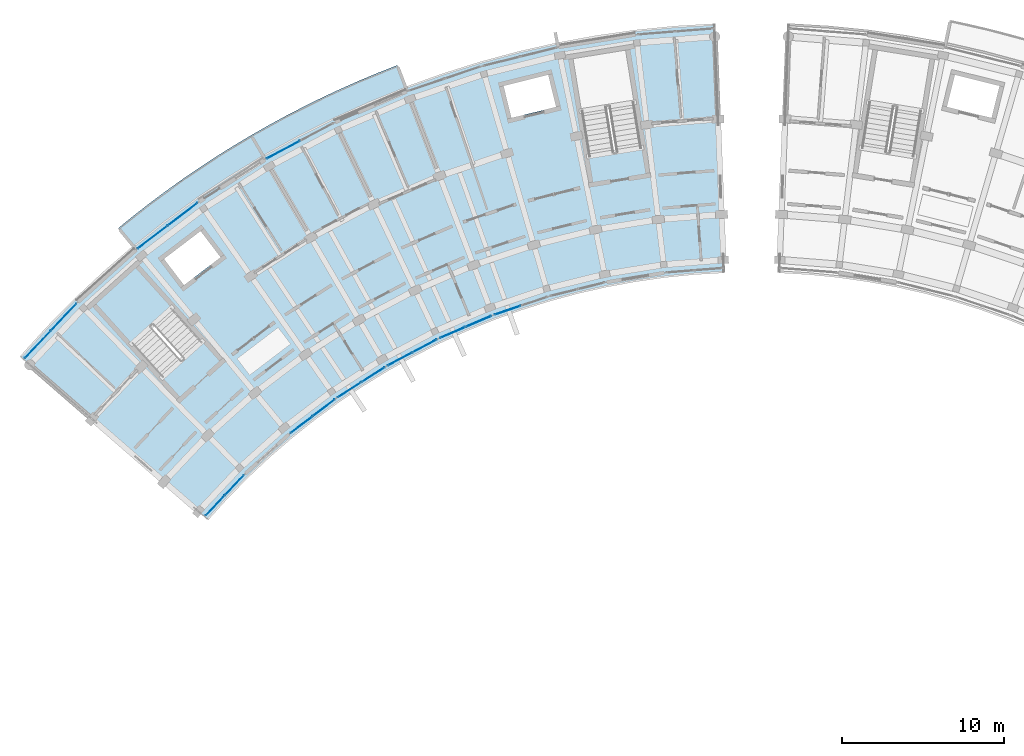
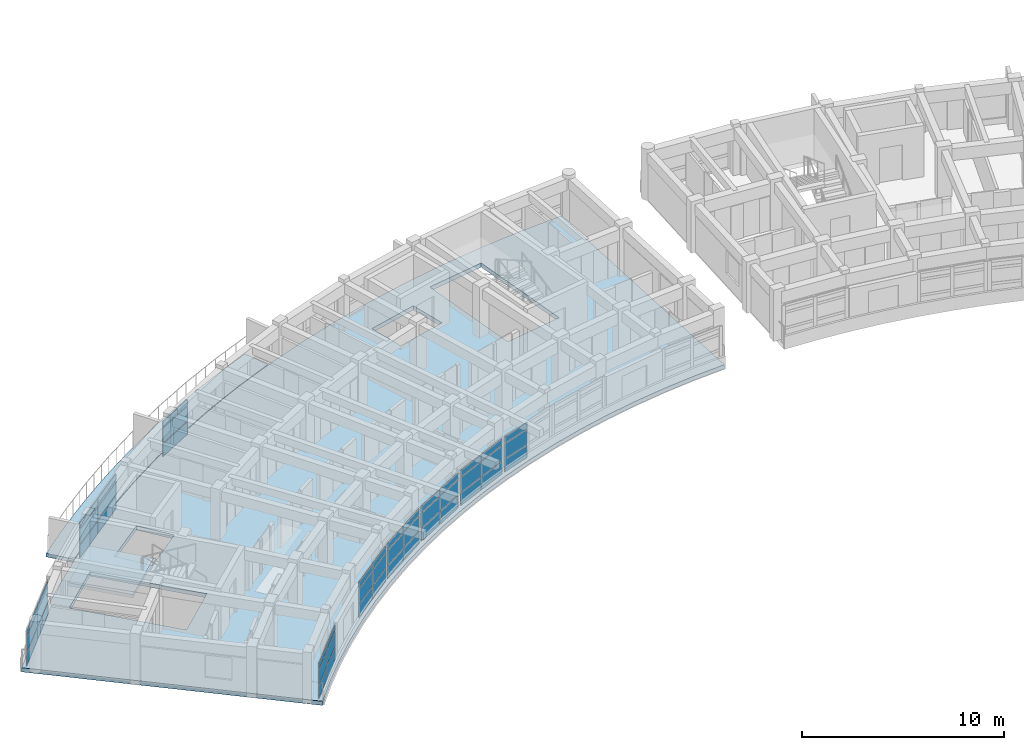
# One storey, part 23 of 50: 48 plates, 3 slabs, 10 elements without a shape of their own.
"""IFC4 building model written with IfcOpenShell, lengths in metres."""

from ifc_helpers import new_model, si_unit, direction, frame, origin, origin_2d, place, context, subcontext, project, spatial, polyline, rectangle, outline, extrude, material, layer, layer_set, type_object, element, aggregate, save


model = new_model("IFC4")

# Units and contexts
model_context = context("Model", 3, precision=1e-05, world=origin(), true_north=direction((0.0, 1.0)))
body_context = subcontext(model_context, "Body", "Model", "MODEL_VIEW")
ifc_project = project(units=[si_unit("LENGTHUNIT", "METRE"), si_unit("AREAUNIT", "SQUARE_METRE"), si_unit("VOLUMEUNIT", "CUBIC_METRE"), si_unit("PLANEANGLEUNIT", "RADIAN"), si_unit("MASSUNIT", "GRAM", prefix="KILO")], contexts=[model_context])

# Site, building, storey
site_placement = place(None, origin())
site = spatial("IfcSite", under=ifc_project, at=site_placement, CompositionType="ELEMENT")
building_placement = place(site_placement, origin())
building = spatial("IfcBuilding", under=site, at=building_placement, Name="Zimvara Arc Housing Community", CompositionType="ELEMENT")
storey_placement = place(building_placement, frame((0.0, 0.0, 26.699951171875)))
storey = spatial("IfcBuildingStorey", under=building, at=storey_placement, Name="L08", CompositionType="ELEMENT", Elevation=26.699951171875)

# Curtain wall, plates
ifc_material_1 = material(Name="Anodised Aluminium AW-6063", Category="aluminium")
curtain_wall_type_1 = type_object("IfcCurtainWallType", Name="CW-SYS-08", PredefinedType="USERDEFINED", material=ifc_material_1)
curtain_wall_1_placement = place(storey_placement, origin())
curtain_wall_1 = element("IfcCurtainWall", 1, at=curtain_wall_1_placement, inside=storey, type_object=curtain_wall_type_1, Name="cw:blkA:L08:in:b2", ObjectType="CURTAIN WALL", PredefinedType="USERDEFINED")
ifc_material_2 = material(Name="Pale-Gold Anodised Aluminium Spandrel Panel", Category="aluminium")
ifc_layer_1 = layer(ifc_material_2, 0.035888671875)
ifc_layer_set_1 = layer_set([ifc_layer_1], Name="Pale-Gold Anodised Aluminium Spandrel Panel")
plate_type_1 = type_object("IfcPlateType", Name="CWP-GLD-36", PredefinedType="CURTAIN_PANEL", material=ifc_layer_set_1)
plate_1_placement = place(storey_placement, frame((17.295654296875, 79.4404296875, 0.065185546875), z_axis=(0.0, 0.0, 1.0), x_axis=(0.795473543119, 0.605988318533, 0.0)))
plate_1 = element("IfcPlate", 2, at=plate_1_placement, type_object=plate_type_1, Name="CW08 panel 1.1", PredefinedType="CURTAIN_PANEL", context=body_context, shape_type="SweptSolid", body=[
    extrude(rectangle(XDim=1.664306640625, YDim=0.035888671875, at=origin_2d()), origin(), (0.0, 0.0, 1.0), 0.75244140625),
])
plate_2_placement = place(storey_placement, frame((17.295654296875, 79.4404296875, 0.88232421875), z_axis=(0.0, 0.0, 1.0), x_axis=(0.795473543119, 0.605988318533, 0.0)))
plate_2 = element("IfcPlate", 3, at=plate_2_placement, type_object=plate_type_1, Name="CW08 panel 1.2", PredefinedType="CURTAIN_PANEL", context=body_context, shape_type="SweptSolid", body=[
    extrude(rectangle(XDim=1.664306640625, YDim=0.035888671875, at=origin_2d()), origin(), (0.0, 0.0, 1.0), 0.885009765625),
])
plate_3_placement = place(storey_placement, frame((17.295654296875, 79.4404296875, 1.83251953125), z_axis=(0.0, 0.0, 1.0), x_axis=(0.795473543119, 0.605988318533, 0.0)))
plate_3 = element("IfcPlate", 4, at=plate_3_placement, type_object=plate_type_1, Name="CW08 panel 1.3", PredefinedType="CURTAIN_PANEL", context=body_context, shape_type="SweptSolid", body=[
    extrude(rectangle(XDim=1.664306640625, YDim=0.035888671875, at=origin_2d()), origin(), (0.0, 0.0, 1.0), 0.3525390625),
])
plate_4_placement = place(storey_placement, frame((18.671142578125, 80.48828125, 0.065185546875), z_axis=(0.0, 0.0, 1.0), x_axis=(0.795473543119, 0.605988318533, 0.0)))
plate_4 = element("IfcPlate", 5, at=plate_4_placement, type_object=plate_type_1, Name="CW08 panel 2.1", PredefinedType="CURTAIN_PANEL", context=body_context, shape_type="SweptSolid", body=[
    extrude(rectangle(XDim=1.664306640625, YDim=0.035888671875, at=origin_2d()), origin(), (0.0, 0.0, 1.0), 0.75244140625),
])
plate_5_placement = place(storey_placement, frame((18.671142578125, 80.48828125, 0.88232421875), z_axis=(0.0, 0.0, 1.0), x_axis=(0.795473543119, 0.605988318533, 0.0)))
plate_5 = element("IfcPlate", 6, at=plate_5_placement, type_object=plate_type_1, Name="CW08 panel 2.2", PredefinedType="CURTAIN_PANEL", context=body_context, shape_type="SweptSolid", body=[
    extrude(rectangle(XDim=1.664306640625, YDim=0.035888671875, at=origin_2d()), origin(), (0.0, 0.0, 1.0), 0.885009765625),
])
plate_6_placement = place(storey_placement, frame((18.671142578125, 80.48828125, 1.83251953125), z_axis=(0.0, 0.0, 1.0), x_axis=(0.795473543119, 0.605988318533, 0.0)))
plate_6 = element("IfcPlate", 7, at=plate_6_placement, type_object=plate_type_1, Name="CW08 panel 2.3", PredefinedType="CURTAIN_PANEL", context=body_context, shape_type="SweptSolid", body=[
    extrude(rectangle(XDim=1.664306640625, YDim=0.035888671875, at=origin_2d()), origin(), (0.0, 0.0, 1.0), 0.3525390625),
])
aggregate(curtain_wall_1, [plate_1, plate_2, plate_3, plate_4, plate_5, plate_6])

ifc_material_3 = material(Name="Anodised Aluminium AW-6063", Category="aluminium")
curtain_wall_type_2 = type_object("IfcCurtainWallType", Name="CW-SYS-04", PredefinedType="USERDEFINED", material=ifc_material_3)
curtain_wall_2_placement = place(storey_placement, origin())
curtain_wall_2 = element("IfcCurtainWall", 8, at=curtain_wall_2_placement, inside=storey, type_object=curtain_wall_type_2, Name="cw:blkA:L08:in:b5", ObjectType="CURTAIN WALL", PredefinedType="USERDEFINED")
plate_7_placement = place(storey_placement, frame((26.599609375, 85.11767578125, 0.065185546875), z_axis=(0.0, 0.0, 1.0), x_axis=(0.918722178415, 0.394904493375, 0.0)))
plate_7 = element("IfcPlate", 9, at=plate_7_placement, type_object=plate_type_1, Name="CW04 panel 1.1", PredefinedType="CURTAIN_PANEL", context=body_context, shape_type="SweptSolid", body=[
    extrude(rectangle(XDim=1.664306640625, YDim=0.035888671875, at=origin_2d()), origin(), (0.0, 0.0, 1.0), 0.75244140625),
])
plate_8_placement = place(storey_placement, frame((26.599609375, 85.11767578125, 0.88232421875), z_axis=(0.0, 0.0, 1.0), x_axis=(0.918722178415, 0.394904493375, 0.0)))
plate_8 = element("IfcPlate", 10, at=plate_8_placement, type_object=plate_type_1, Name="CW04 panel 1.2", PredefinedType="CURTAIN_PANEL", context=body_context, shape_type="SweptSolid", body=[
    extrude(rectangle(XDim=1.664306640625, YDim=0.035888671875, at=origin_2d()), origin(), (0.0, 0.0, 1.0), 0.885009765625),
])
plate_9_placement = place(storey_placement, frame((26.599609375, 85.11767578125, 1.83251953125), z_axis=(0.0, 0.0, 1.0), x_axis=(0.918722178415, 0.394904493375, 0.0)))
plate_9 = element("IfcPlate", 11, at=plate_9_placement, type_object=plate_type_1, Name="CW04 panel 1.3", PredefinedType="CURTAIN_PANEL", context=body_context, shape_type="SweptSolid", body=[
    extrude(rectangle(XDim=1.664306640625, YDim=0.035888671875, at=origin_2d()), origin(), (0.0, 0.0, 1.0), 0.3525390625),
])
plate_10_placement = place(storey_placement, frame((28.1884765625, 85.80078125, 0.065185546875), z_axis=(0.0, 0.0, 1.0), x_axis=(0.918722178415, 0.394904493375, 0.0)))
plate_10 = element("IfcPlate", 12, at=plate_10_placement, type_object=plate_type_1, Name="CW04 panel 2.1", PredefinedType="CURTAIN_PANEL", context=body_context, shape_type="SweptSolid", body=[
    extrude(rectangle(XDim=1.664306640625, YDim=0.035888671875, at=origin_2d()), origin(), (0.0, 0.0, 1.0), 0.75244140625),
])
plate_11_placement = place(storey_placement, frame((28.1884765625, 85.80078125, 0.88232421875), z_axis=(0.0, 0.0, 1.0), x_axis=(0.918722178415, 0.394904493375, 0.0)))
plate_11 = element("IfcPlate", 13, at=plate_11_placement, type_object=plate_type_1, Name="CW04 panel 2.2", PredefinedType="CURTAIN_PANEL", context=body_context, shape_type="SweptSolid", body=[
    extrude(rectangle(XDim=1.664306640625, YDim=0.035888671875, at=origin_2d()), origin(), (0.0, 0.0, 1.0), 0.885009765625),
])
plate_12_placement = place(storey_placement, frame((28.1884765625, 85.80078125, 1.83251953125), z_axis=(0.0, 0.0, 1.0), x_axis=(0.918722178415, 0.394904493375, 0.0)))
plate_12 = element("IfcPlate", 14, at=plate_12_placement, type_object=plate_type_1, Name="CW04 panel 2.3", PredefinedType="CURTAIN_PANEL", context=body_context, shape_type="SweptSolid", body=[
    extrude(rectangle(XDim=1.664306640625, YDim=0.035888671875, at=origin_2d()), origin(), (0.0, 0.0, 1.0), 0.3525390625),
])
aggregate(curtain_wall_2, [plate_7, plate_8, plate_9, plate_10, plate_11, plate_12])

ifc_material_4 = material(Name="Anodised Aluminium AW-6063", Category="aluminium")
curtain_wall_type_3 = type_object("IfcCurtainWallType", Name="CW-SYS-05", PredefinedType="USERDEFINED", material=ifc_material_4)
curtain_wall_3_placement = place(storey_placement, origin())
curtain_wall_3 = element("IfcCurtainWall", 15, at=curtain_wall_3_placement, inside=storey, type_object=curtain_wall_type_3, Name="cw:blkA:L08:out:b0", ObjectType="CURTAIN WALL", PredefinedType="USERDEFINED")
ifc_material_5 = material(Name="Solar Control Low-E Double Glazing", Category="glass")
ifc_layer_2 = layer(ifc_material_5, 0.02392578125)
ifc_layer_set_2 = layer_set([ifc_layer_2], Name="Solar Control Low-E Double Glazing")
plate_type_2 = type_object("IfcPlateType", Name="CWP-GLZ-24", PredefinedType="CURTAIN_PANEL", material=ifc_layer_set_2)
plate_13_placement = place(storey_placement, frame((1.049072265625, 84.3720703125, 0.065185546875), z_axis=(0.0, 0.0, 1.0), x_axis=(0.686326416495, 0.727293647725, 0.0)))
plate_13 = element("IfcPlate", 16, at=plate_13_placement, type_object=plate_type_2, Name="CW05 panel 1.1", PredefinedType="CURTAIN_PANEL", context=body_context, shape_type="SweptSolid", body=[
    extrude(rectangle(XDim=2.266845703125, YDim=0.02392578125, at=origin_2d()), origin(), (0.0, 0.0, 1.0), 0.75244140625),
])
plate_14_placement = place(storey_placement, frame((1.049072265625, 84.3720703125, 0.88232421875), z_axis=(0.0, 0.0, 1.0), x_axis=(0.686326416495, 0.727293647725, 0.0)))
plate_14 = element("IfcPlate", 17, at=plate_14_placement, type_object=plate_type_2, Name="CW05 panel 1.2", PredefinedType="CURTAIN_PANEL", context=body_context, shape_type="SweptSolid", body=[
    extrude(rectangle(XDim=2.266845703125, YDim=0.02392578125, at=origin_2d()), origin(), (0.0, 0.0, 1.0), 0.885009765625),
])
plate_15_placement = place(storey_placement, frame((1.049072265625, 84.3720703125, 1.83251953125), z_axis=(0.0, 0.0, 1.0), x_axis=(0.686326416495, 0.727293647725, 0.0)))
plate_15 = element("IfcPlate", 18, at=plate_15_placement, type_object=plate_type_2, Name="CW05 panel 1.3", PredefinedType="CURTAIN_PANEL", context=body_context, shape_type="SweptSolid", body=[
    extrude(rectangle(XDim=2.266845703125, YDim=0.02392578125, at=origin_2d()), origin(), (0.0, 0.0, 1.0), 0.3525390625),
])
plate_16_placement = place(storey_placement, frame((2.649658203125, 86.068115234375, 0.065185546875), z_axis=(0.0, 0.0, 1.0), x_axis=(0.686326416495, 0.727293647725, 0.0)))
plate_16 = element("IfcPlate", 19, at=plate_16_placement, type_object=plate_type_2, Name="CW05 panel 2.1", PredefinedType="CURTAIN_PANEL", context=body_context, shape_type="SweptSolid", body=[
    extrude(rectangle(XDim=2.266845703125, YDim=0.02392578125, at=origin_2d()), origin(), (0.0, 0.0, 1.0), 0.75244140625),
])
plate_17_placement = place(storey_placement, frame((2.649658203125, 86.068115234375, 0.88232421875), z_axis=(0.0, 0.0, 1.0), x_axis=(0.686326416495, 0.727293647725, 0.0)))
plate_17 = element("IfcPlate", 20, at=plate_17_placement, type_object=plate_type_2, Name="CW05 panel 2.2", PredefinedType="CURTAIN_PANEL", context=body_context, shape_type="SweptSolid", body=[
    extrude(rectangle(XDim=2.266845703125, YDim=0.02392578125, at=origin_2d()), origin(), (0.0, 0.0, 1.0), 0.885009765625),
])
plate_18_placement = place(storey_placement, frame((2.649658203125, 86.068115234375, 1.83251953125), z_axis=(0.0, 0.0, 1.0), x_axis=(0.686326416495, 0.727293647725, 0.0)))
plate_18 = element("IfcPlate", 21, at=plate_18_placement, type_object=plate_type_2, Name="CW05 panel 2.3", PredefinedType="CURTAIN_PANEL", context=body_context, shape_type="SweptSolid", body=[
    extrude(rectangle(XDim=2.266845703125, YDim=0.02392578125, at=origin_2d()), origin(), (0.0, 0.0, 1.0), 0.3525390625),
])
aggregate(curtain_wall_3, [plate_13, plate_14, plate_15, plate_16, plate_17, plate_18])

ifc_material_6 = material(Name="Anodised Aluminium AW-6063", Category="aluminium")
curtain_wall_type_4 = type_object("IfcCurtainWallType", Name="CW-SYS-01", PredefinedType="USERDEFINED", material=ifc_material_6)
curtain_wall_4_placement = place(storey_placement, origin())
curtain_wall_4 = element("IfcCurtainWall", 22, at=curtain_wall_4_placement, inside=storey, type_object=curtain_wall_type_4, Name="cw:blkA:L08:in:b3", ObjectType="CURTAIN WALL", PredefinedType="USERDEFINED")
plate_19_placement = place(storey_placement, frame((20.23876953125, 81.58447265625, 0.065185546875), z_axis=(0.0, 0.0, 1.0), x_axis=(0.842264751752, 0.539064085203, 0.0)))
plate_19 = element("IfcPlate", 23, at=plate_19_placement, type_object=plate_type_2, Name="CW01 panel 1.1", PredefinedType="CURTAIN_PANEL", context=body_context, shape_type="SweptSolid", body=[
    extrude(rectangle(XDim=1.664306640625, YDim=0.02392578125, at=origin_2d()), origin(), (0.0, 0.0, 1.0), 0.75244140625),
])
plate_20_placement = place(storey_placement, frame((20.23876953125, 81.58447265625, 0.88232421875), z_axis=(0.0, 0.0, 1.0), x_axis=(0.842264751752, 0.539064085203, 0.0)))
plate_20 = element("IfcPlate", 24, at=plate_20_placement, type_object=plate_type_2, Name="CW01 panel 1.2", PredefinedType="CURTAIN_PANEL", context=body_context, shape_type="SweptSolid", body=[
    extrude(rectangle(XDim=1.664306640625, YDim=0.02392578125, at=origin_2d()), origin(), (0.0, 0.0, 1.0), 0.885009765625),
])
plate_21_placement = place(storey_placement, frame((20.23876953125, 81.58447265625, 1.83251953125), z_axis=(0.0, 0.0, 1.0), x_axis=(0.842264751752, 0.539064085203, 0.0)))
plate_21 = element("IfcPlate", 25, at=plate_21_placement, type_object=plate_type_2, Name="CW01 panel 1.3", PredefinedType="CURTAIN_PANEL", context=body_context, shape_type="SweptSolid", body=[
    extrude(rectangle(XDim=1.664306640625, YDim=0.02392578125, at=origin_2d()), origin(), (0.0, 0.0, 1.0), 0.3525390625),
])
plate_22_placement = place(storey_placement, frame((21.6953125, 82.5166015625, 0.065185546875), z_axis=(0.0, 0.0, 1.0), x_axis=(0.842264751752, 0.539064085203, 0.0)))
plate_22 = element("IfcPlate", 26, at=plate_22_placement, type_object=plate_type_2, Name="CW01 panel 2.1", PredefinedType="CURTAIN_PANEL", context=body_context, shape_type="SweptSolid", body=[
    extrude(rectangle(XDim=1.664306640625, YDim=0.02392578125, at=origin_2d()), origin(), (0.0, 0.0, 1.0), 0.75244140625),
])
plate_23_placement = place(storey_placement, frame((21.6953125, 82.5166015625, 0.88232421875), z_axis=(0.0, 0.0, 1.0), x_axis=(0.842264751752, 0.539064085203, 0.0)))
plate_23 = element("IfcPlate", 27, at=plate_23_placement, type_object=plate_type_2, Name="CW01 panel 2.2", PredefinedType="CURTAIN_PANEL", context=body_context, shape_type="SweptSolid", body=[
    extrude(rectangle(XDim=1.664306640625, YDim=0.02392578125, at=origin_2d()), origin(), (0.0, 0.0, 1.0), 0.885009765625),
])
plate_24_placement = place(storey_placement, frame((21.6953125, 82.5166015625, 1.83251953125), z_axis=(0.0, 0.0, 1.0), x_axis=(0.842264751752, 0.539064085203, 0.0)))
plate_24 = element("IfcPlate", 28, at=plate_24_placement, type_object=plate_type_2, Name="CW01 panel 2.3", PredefinedType="CURTAIN_PANEL", context=body_context, shape_type="SweptSolid", body=[
    extrude(rectangle(XDim=1.664306640625, YDim=0.02392578125, at=origin_2d()), origin(), (0.0, 0.0, 1.0), 0.3525390625),
])
aggregate(curtain_wall_4, [plate_19, plate_20, plate_21, plate_22, plate_23, plate_24])

ifc_material_7 = material(Name="Anodised Aluminium AW-6063", Category="aluminium")
curtain_wall_type_5 = type_object("IfcCurtainWallType", Name="CW-SYS-06", PredefinedType="USERDEFINED", material=ifc_material_7)
curtain_wall_5_placement = place(storey_placement, origin())
curtain_wall_5 = element("IfcCurtainWall", 29, at=curtain_wall_5_placement, inside=storey, type_object=curtain_wall_type_5, Name="cw:blkA:L08:in:b0", ObjectType="CURTAIN WALL", PredefinedType="USERDEFINED")
ifc_material_8 = material(Name="Solar Control Low-E Double Glazing", Category="glass")
ifc_layer_3 = layer(ifc_material_8, 0.028076171875)
ifc_layer_set_3 = layer_set([ifc_layer_3], Name="Solar Control Low-E Double Glazing")
plate_type_3 = type_object("IfcPlateType", Name="CWP-GLZ-28", PredefinedType="CURTAIN_PANEL", material=ifc_layer_set_3)
plate_25_placement = place(storey_placement, frame((11.981689453125, 74.469482421875, 0.065185546875), z_axis=(0.0, 0.0, 1.0), x_axis=(0.686326805658, 0.727293280483, 0.0)))
plate_25 = element("IfcPlate", 30, at=plate_25_placement, type_object=plate_type_3, Name="CW06 panel 1.1", PredefinedType="CURTAIN_PANEL", context=body_context, shape_type="SweptSolid", body=[
    extrude(rectangle(XDim=1.664306640625, YDim=0.028076171875, at=origin_2d()), origin(), (0.0, 0.0, 1.0), 0.75244140625),
])
plate_26_placement = place(storey_placement, frame((11.981689453125, 74.469482421875, 0.88232421875), z_axis=(0.0, 0.0, 1.0), x_axis=(0.686326805658, 0.727293280483, 0.0)))
plate_26 = element("IfcPlate", 31, at=plate_26_placement, type_object=plate_type_3, Name="CW06 panel 1.2", PredefinedType="CURTAIN_PANEL", context=body_context, shape_type="SweptSolid", body=[
    extrude(rectangle(XDim=1.664306640625, YDim=0.028076171875, at=origin_2d()), origin(), (0.0, 0.0, 1.0), 0.885009765625),
])
plate_27_placement = place(storey_placement, frame((11.981689453125, 74.469482421875, 1.83251953125), z_axis=(0.0, 0.0, 1.0), x_axis=(0.686326805658, 0.727293280483, 0.0)))
plate_27 = element("IfcPlate", 32, at=plate_27_placement, type_object=plate_type_3, Name="CW06 panel 1.3", PredefinedType="CURTAIN_PANEL", context=body_context, shape_type="SweptSolid", body=[
    extrude(rectangle(XDim=1.664306640625, YDim=0.028076171875, at=origin_2d()), origin(), (0.0, 0.0, 1.0), 0.3525390625),
])
plate_28_placement = place(storey_placement, frame((13.168701171875, 75.727294921875, 0.065185546875), z_axis=(0.0, 0.0, 1.0), x_axis=(0.686326805658, 0.727293280483, 0.0)))
plate_28 = element("IfcPlate", 33, at=plate_28_placement, type_object=plate_type_3, Name="CW06 panel 2.1", PredefinedType="CURTAIN_PANEL", context=body_context, shape_type="SweptSolid", body=[
    extrude(rectangle(XDim=1.664306640625, YDim=0.028076171875, at=origin_2d()), origin(), (0.0, 0.0, 1.0), 0.75244140625),
])
plate_29_placement = place(storey_placement, frame((13.168701171875, 75.727294921875, 0.88232421875), z_axis=(0.0, 0.0, 1.0), x_axis=(0.686326805658, 0.727293280483, 0.0)))
plate_29 = element("IfcPlate", 34, at=plate_29_placement, type_object=plate_type_3, Name="CW06 panel 2.2", PredefinedType="CURTAIN_PANEL", context=body_context, shape_type="SweptSolid", body=[
    extrude(rectangle(XDim=1.664306640625, YDim=0.028076171875, at=origin_2d()), origin(), (0.0, 0.0, 1.0), 0.885009765625),
])
plate_30_placement = place(storey_placement, frame((13.168701171875, 75.727294921875, 1.83251953125), z_axis=(0.0, 0.0, 1.0), x_axis=(0.686326805658, 0.727293280483, 0.0)))
plate_30 = element("IfcPlate", 35, at=plate_30_placement, type_object=plate_type_3, Name="CW06 panel 2.3", PredefinedType="CURTAIN_PANEL", context=body_context, shape_type="SweptSolid", body=[
    extrude(rectangle(XDim=1.664306640625, YDim=0.028076171875, at=origin_2d()), origin(), (0.0, 0.0, 1.0), 0.3525390625),
])
aggregate(curtain_wall_5, [plate_25, plate_26, plate_27, plate_28, plate_29, plate_30])

ifc_material_9 = material(Name="Anodised Aluminium AW-6063", Category="aluminium")
curtain_wall_type_6 = type_object("IfcCurtainWallType", Name="CW-SYS-02", PredefinedType="USERDEFINED", material=ifc_material_9)
curtain_wall_6_placement = place(storey_placement, origin())
curtain_wall_6 = element("IfcCurtainWall", 36, at=curtain_wall_6_placement, inside=storey, type_object=curtain_wall_type_6, Name="cw:blkA:L08:out:b4", ObjectType="CURTAIN WALL", PredefinedType="USERDEFINED")
plate_31_placement = place(storey_placement, frame((16.1708984375, 96.36865234375, 0.065185546875), z_axis=(0.0, 0.0, 1.0), x_axis=(0.883438614651, 0.468546917761, 0.0)))
plate_31 = element("IfcPlate", 37, at=plate_31_placement, type_object=plate_type_3, Name="CW02 panel 1.1", PredefinedType="CURTAIN_PANEL", context=body_context, shape_type="SweptSolid", body=[
    extrude(rectangle(XDim=2.266845703125, YDim=0.028076171875, at=origin_2d()), origin(), (0.0, 0.0, 1.0), 0.75244140625),
])
plate_32_placement = place(storey_placement, frame((16.1708984375, 96.36865234375, 0.88232421875), z_axis=(0.0, 0.0, 1.0), x_axis=(0.883438614651, 0.468546917761, 0.0)))
plate_32 = element("IfcPlate", 38, at=plate_32_placement, type_object=plate_type_3, Name="CW02 panel 1.2", PredefinedType="CURTAIN_PANEL", context=body_context, shape_type="SweptSolid", body=[
    extrude(rectangle(XDim=2.266845703125, YDim=0.028076171875, at=origin_2d()), origin(), (0.0, 0.0, 1.0), 0.885009765625),
])
plate_33_placement = place(storey_placement, frame((16.1708984375, 96.36865234375, 1.83251953125), z_axis=(0.0, 0.0, 1.0), x_axis=(0.883438614651, 0.468546917761, 0.0)))
plate_33 = element("IfcPlate", 39, at=plate_33_placement, type_object=plate_type_3, Name="CW02 panel 1.3", PredefinedType="CURTAIN_PANEL", context=body_context, shape_type="SweptSolid", body=[
    extrude(rectangle(XDim=2.266845703125, YDim=0.028076171875, at=origin_2d()), origin(), (0.0, 0.0, 1.0), 0.3525390625),
])
aggregate(curtain_wall_6, [plate_31, plate_32, plate_33])

curtain_wall_7_placement = place(storey_placement, origin())
curtain_wall_7 = element("IfcCurtainWall", 40, at=curtain_wall_7_placement, inside=storey, type_object=curtain_wall_type_5, Name="cw:blkA:L08:in:b6", ObjectType="CURTAIN WALL", PredefinedType="USERDEFINED")
plate_34_placement = place(storey_placement, frame((29.97509765625, 86.483642578125, 0.065185546875), z_axis=(0.0, 0.0, 1.0), x_axis=(0.94787908732, 0.318630249383, 0.0)))
plate_34 = element("IfcPlate", 41, at=plate_34_placement, type_object=plate_type_3, Name="CW06 panel 1.1", PredefinedType="CURTAIN_PANEL", context=body_context, shape_type="SweptSolid", body=[
    extrude(rectangle(XDim=1.664306640625, YDim=0.028076171875, at=origin_2d()), origin(), (0.0, 0.0, 1.0), 0.75244140625),
])
plate_35_placement = place(storey_placement, frame((29.97509765625, 86.483642578125, 0.88232421875), z_axis=(0.0, 0.0, 1.0), x_axis=(0.94787908732, 0.318630249383, 0.0)))
plate_35 = element("IfcPlate", 42, at=plate_35_placement, type_object=plate_type_3, Name="CW06 panel 1.2", PredefinedType="CURTAIN_PANEL", context=body_context, shape_type="SweptSolid", body=[
    extrude(rectangle(XDim=1.664306640625, YDim=0.028076171875, at=origin_2d()), origin(), (0.0, 0.0, 1.0), 0.885009765625),
])
plate_36_placement = place(storey_placement, frame((29.97509765625, 86.483642578125, 1.83251953125), z_axis=(0.0, 0.0, 1.0), x_axis=(0.94787908732, 0.318630249383, 0.0)))
plate_36 = element("IfcPlate", 43, at=plate_36_placement, type_object=plate_type_3, Name="CW06 panel 1.3", PredefinedType="CURTAIN_PANEL", context=body_context, shape_type="SweptSolid", body=[
    extrude(rectangle(XDim=1.664306640625, YDim=0.028076171875, at=origin_2d()), origin(), (0.0, 0.0, 1.0), 0.3525390625),
])
aggregate(curtain_wall_7, [plate_34, plate_35, plate_36])

ifc_material_10 = material(Name="Anodised Aluminium AW-6063", Category="aluminium")
curtain_wall_type_7 = type_object("IfcCurtainWallType", Name="CW-SYS-07", PredefinedType="USERDEFINED", material=ifc_material_10)
curtain_wall_8_placement = place(storey_placement, origin())
curtain_wall_8 = element("IfcCurtainWall", 44, at=curtain_wall_8_placement, inside=storey, type_object=curtain_wall_type_7, Name="cw:blkA:L08:out:b2", ObjectType="CURTAIN WALL", PredefinedType="USERDEFINED")
ifc_material_11 = material(Name="Acoustic Laminated Solar Glazing", Category="glass")
ifc_layer_4 = layer(ifc_material_11, 0.031982421875)
ifc_layer_set_4 = layer_set([ifc_layer_4], Name="Acoustic Laminated Solar Glazing")
plate_type_4 = type_object("IfcPlateType", Name="CWP-GLZ-32", PredefinedType="CURTAIN_PANEL", material=ifc_layer_set_4)
plate_37_placement = place(storey_placement, frame((8.118896484375, 90.9892578125, 0.065185546875), z_axis=(0.0, 0.0, 1.0), x_axis=(0.795473999177, 0.60598771987, 0.0)))
plate_37 = element("IfcPlate", 45, at=plate_37_placement, type_object=plate_type_4, Name="CW07 panel 1.1", PredefinedType="CURTAIN_PANEL", context=body_context, shape_type="SweptSolid", body=[
    extrude(rectangle(XDim=2.266845703125, YDim=0.031982421875, at=origin_2d()), origin(), (0.0, 0.0, 1.0), 0.75244140625),
])
plate_38_placement = place(storey_placement, frame((8.118896484375, 90.9892578125, 0.88232421875), z_axis=(0.0, 0.0, 1.0), x_axis=(0.795473999177, 0.60598771987, 0.0)))
plate_38 = element("IfcPlate", 46, at=plate_38_placement, type_object=plate_type_4, Name="CW07 panel 1.2", PredefinedType="CURTAIN_PANEL", context=body_context, shape_type="SweptSolid", body=[
    extrude(rectangle(XDim=2.266845703125, YDim=0.031982421875, at=origin_2d()), origin(), (0.0, 0.0, 1.0), 0.885009765625),
])
plate_39_placement = place(storey_placement, frame((8.118896484375, 90.9892578125, 1.83251953125), z_axis=(0.0, 0.0, 1.0), x_axis=(0.795473999177, 0.60598771987, 0.0)))
plate_39 = element("IfcPlate", 47, at=plate_39_placement, type_object=plate_type_4, Name="CW07 panel 1.3", PredefinedType="CURTAIN_PANEL", context=body_context, shape_type="SweptSolid", body=[
    extrude(rectangle(XDim=2.266845703125, YDim=0.031982421875, at=origin_2d()), origin(), (0.0, 0.0, 1.0), 0.3525390625),
])
plate_40_placement = place(storey_placement, frame((9.973876953125, 92.40234375, 0.065185546875), z_axis=(0.0, 0.0, 1.0), x_axis=(0.795473999177, 0.60598771987, 0.0)))
plate_40 = element("IfcPlate", 48, at=plate_40_placement, type_object=plate_type_4, Name="CW07 panel 2.1", PredefinedType="CURTAIN_PANEL", context=body_context, shape_type="SweptSolid", body=[
    extrude(rectangle(XDim=2.266845703125, YDim=0.031982421875, at=origin_2d()), origin(), (0.0, 0.0, 1.0), 0.75244140625),
])
plate_41_placement = place(storey_placement, frame((9.973876953125, 92.40234375, 0.88232421875), z_axis=(0.0, 0.0, 1.0), x_axis=(0.795473999177, 0.60598771987, 0.0)))
plate_41 = element("IfcPlate", 49, at=plate_41_placement, type_object=plate_type_4, Name="CW07 panel 2.2", PredefinedType="CURTAIN_PANEL", context=body_context, shape_type="SweptSolid", body=[
    extrude(rectangle(XDim=2.266845703125, YDim=0.031982421875, at=origin_2d()), origin(), (0.0, 0.0, 1.0), 0.885009765625),
])
plate_42_placement = place(storey_placement, frame((9.973876953125, 92.40234375, 1.83251953125), z_axis=(0.0, 0.0, 1.0), x_axis=(0.795473999177, 0.60598771987, 0.0)))
plate_42 = element("IfcPlate", 50, at=plate_42_placement, type_object=plate_type_4, Name="CW07 panel 2.3", PredefinedType="CURTAIN_PANEL", context=body_context, shape_type="SweptSolid", body=[
    extrude(rectangle(XDim=2.266845703125, YDim=0.031982421875, at=origin_2d()), origin(), (0.0, 0.0, 1.0), 0.3525390625),
])
aggregate(curtain_wall_8, [plate_37, plate_38, plate_39, plate_40, plate_41, plate_42])

ifc_material_12 = material(Name="Anodised Aluminium AW-6063", Category="aluminium")
curtain_wall_type_8 = type_object("IfcCurtainWallType", Name="CW-SYS-03", PredefinedType="USERDEFINED", material=ifc_material_12)
curtain_wall_9_placement = place(storey_placement, origin())
curtain_wall_9 = element("IfcCurtainWall", 51, at=curtain_wall_9_placement, inside=storey, type_object=curtain_wall_type_8, Name="cw:blkA:L08:in:b4", ObjectType="CURTAIN WALL", PredefinedType="USERDEFINED")
plate_43_placement = place(storey_placement, frame((23.346923828125, 83.48095703125, 0.065185546875), z_axis=(0.0, 0.0, 1.0), x_axis=(0.88343981815, 0.468544648573, 0.0)))
plate_43 = element("IfcPlate", 52, at=plate_43_placement, type_object=plate_type_4, Name="CW03 panel 1.1", PredefinedType="CURTAIN_PANEL", context=body_context, shape_type="SweptSolid", body=[
    extrude(rectangle(XDim=1.664306640625, YDim=0.031982421875, at=origin_2d()), origin(), (0.0, 0.0, 1.0), 0.75244140625),
])
plate_44_placement = place(storey_placement, frame((23.346923828125, 83.48095703125, 0.88232421875), z_axis=(0.0, 0.0, 1.0), x_axis=(0.88343981815, 0.468544648573, 0.0)))
plate_44 = element("IfcPlate", 53, at=plate_44_placement, type_object=plate_type_4, Name="CW03 panel 1.2", PredefinedType="CURTAIN_PANEL", context=body_context, shape_type="SweptSolid", body=[
    extrude(rectangle(XDim=1.664306640625, YDim=0.031982421875, at=origin_2d()), origin(), (0.0, 0.0, 1.0), 0.885009765625),
])
plate_45_placement = place(storey_placement, frame((23.346923828125, 83.48095703125, 1.83251953125), z_axis=(0.0, 0.0, 1.0), x_axis=(0.88343981815, 0.468544648573, 0.0)))
plate_45 = element("IfcPlate", 54, at=plate_45_placement, type_object=plate_type_4, Name="CW03 panel 1.3", PredefinedType="CURTAIN_PANEL", context=body_context, shape_type="SweptSolid", body=[
    extrude(rectangle(XDim=1.664306640625, YDim=0.031982421875, at=origin_2d()), origin(), (0.0, 0.0, 1.0), 0.3525390625),
])
plate_46_placement = place(storey_placement, frame((24.874755859375, 84.291259765625, 0.065185546875), z_axis=(0.0, 0.0, 1.0), x_axis=(0.88343981815, 0.468544648573, 0.0)))
plate_46 = element("IfcPlate", 55, at=plate_46_placement, type_object=plate_type_4, Name="CW03 panel 2.1", PredefinedType="CURTAIN_PANEL", context=body_context, shape_type="SweptSolid", body=[
    extrude(rectangle(XDim=1.664306640625, YDim=0.031982421875, at=origin_2d()), origin(), (0.0, 0.0, 1.0), 0.75244140625),
])
plate_47_placement = place(storey_placement, frame((24.874755859375, 84.291259765625, 0.88232421875), z_axis=(0.0, 0.0, 1.0), x_axis=(0.88343981815, 0.468544648573, 0.0)))
plate_47 = element("IfcPlate", 56, at=plate_47_placement, type_object=plate_type_4, Name="CW03 panel 2.2", PredefinedType="CURTAIN_PANEL", context=body_context, shape_type="SweptSolid", body=[
    extrude(rectangle(XDim=1.664306640625, YDim=0.031982421875, at=origin_2d()), origin(), (0.0, 0.0, 1.0), 0.885009765625),
])
plate_48_placement = place(storey_placement, frame((24.874755859375, 84.291259765625, 1.83251953125), z_axis=(0.0, 0.0, 1.0), x_axis=(0.88343981815, 0.468544648573, 0.0)))
plate_48 = element("IfcPlate", 57, at=plate_48_placement, type_object=plate_type_4, Name="CW03 panel 2.3", PredefinedType="CURTAIN_PANEL", context=body_context, shape_type="SweptSolid", body=[
    extrude(rectangle(XDim=1.664306640625, YDim=0.031982421875, at=origin_2d()), origin(), (0.0, 0.0, 1.0), 0.3525390625),
])
aggregate(curtain_wall_9, [plate_43, plate_44, plate_45, plate_46, plate_47, plate_48])

# Stair, slab
ifc_material_13 = material(Name="Concrete C35/45", Category="concrete")
stair_type = type_object("IfcStairType", Name="STR-DL-312-310", PredefinedType="HALF_TURN_STAIR", material=ifc_material_13)
stair_placement = place(storey_placement, origin())
stair = element("IfcStair", 58, at=stair_placement, inside=storey, type_object=stair_type, Name="L08 Block A Exit Stair 1", PredefinedType="HALF_TURN_STAIR")
ifc_material_14 = material(Name="Concrete C35/45", Category="concrete")
ifc_layer_5 = layer(ifc_material_14, 0.199951171875)
ifc_layer_set_5 = layer_set([ifc_layer_5], Name="Concrete C35/45")
slab_type_1 = type_object("IfcSlabType", Name="SLB-STAIR-LND-200", PredefinedType="LANDING", material=ifc_layer_set_5)
slab_1_placement = place(storey_placement, frame((0.0, 0.0, 1.35009765625)))
slab_1 = element("IfcSlab", 59, at=slab_1_placement, type_object=slab_type_1, Name="ST-A1 landing 1", PredefinedType="LANDING", context=body_context, shape_type="SweptSolid", body=[
    extrude(outline(polyline([(9.3486328125, 86.634521484375), (7.09326171875, 89.14111328125), (4.595458984375, 86.8935546875), (6.850830078125, 84.386962890625), (9.3486328125, 86.634521484375)])), origin(), (0.0, 0.0, 1.0), 0.199951171875),
])
aggregate(stair, [slab_1])

# Slabs
ifc_material_15 = material(Name="Concrete C35/45", Category="concrete")
ifc_layer_6 = layer(ifc_material_15, 0.2099609375)
ifc_layer_set_6 = layer_set([ifc_layer_6], Name="Concrete C35/45")
slab_type_2 = type_object("IfcSlabType", Name="SLB-TER-210", PredefinedType="FLOOR", material=ifc_layer_set_6)
slab_2_placement = place(storey_placement, frame((0.0, 0.0, -0.2099609375)))
element("IfcSlab", 60, at=slab_2_placement, inside=storey, type_object=slab_type_2, Name="slab:blkA:L08:bal_out", PredefinedType="FLOOR", context=body_context, shape_type="SweptSolid", body=[
    extrude(outline(polyline([(6.0205078125, 91.55126953125), (6.958251953125, 90.419189453125), (6.958740234375, 90.41943359375), (8.864501953125, 91.93359375), (8.865478515625, 91.9345703125), (10.831298828125, 93.36962890625), (10.832275390625, 93.370361328125), (12.85498046875, 94.723876953125), (12.856201171875, 94.724609375), (14.932373046875, 95.994384765625), (14.93359375, 95.9951171875), (17.06005859375, 97.17919921875), (17.06103515625, 97.1796875), (19.234130859375, 98.27587890625), (19.2353515625, 98.276611328125), (21.451416015625, 99.283203125), (21.452392578125, 99.28369140625), (23.707763671875, 100.198974609375), (23.708251953125, 100.19921875), (23.183349609375, 101.572265625), (22.0224609375, 101.114990234375), (20.871337890625, 100.634033203125), (19.730224609375, 100.129638671875), (18.599609375, 99.60205078125), (17.47998046875, 99.051513671875), (16.371826171875, 98.47802734375), (15.275634765625, 97.88232421875), (14.19189453125, 97.26416015625), (13.120849609375, 96.624267578125), (12.063232421875, 95.96240234375), (11.019287109375, 95.279052734375), (9.989501953125, 94.57470703125), (8.974365234375, 93.849365234375), (7.97412109375, 93.103515625), (6.989501953125, 92.337158203125), (6.0205078125, 91.55126953125)])), origin(), (0.0, 0.0, 1.0), 0.2099609375),
])
ifc_material_16 = material(Name="Concrete C35/45", Category="concrete")
ifc_layer_7 = layer(ifc_material_16, 0.251953125)
ifc_layer_set_7 = layer_set([ifc_layer_7], Name="Concrete C35/45")
slab_type_3 = type_object("IfcSlabType", Name="SLB-VAR-09", PredefinedType="FLOOR", material=ifc_layer_set_7)
slab_3_placement = place(storey_placement, frame((0.0, 0.0, -0.251953125)))
element("IfcSlab", 61, at=slab_3_placement, inside=storey, type_object=slab_type_3, Name="slab:blkA:L08:main", PredefinedType="FLOOR", context=body_context, shape_type="SweptSolid", body=[
    extrude(outline(polyline([(11.490966796875, 73.62890625), (12.708251953125, 74.972900390625), (13.979248046875, 76.265869140625), (15.302001953125, 77.506103515625), (16.674560546875, 78.69091796875), (18.093994140625, 79.819091796875), (19.55859375, 80.88818359375), (21.0654296875, 81.896484375), (22.6123046875, 82.842529296875), (24.196533203125, 83.724609375), (25.8154296875, 84.541259765625), (27.46630859375, 85.291259765625), (29.146240234375, 85.97314453125), (30.852783203125, 86.5859375), (32.5830078125, 87.12841796875), (34.333984375, 87.599853515625), (36.1025390625, 87.999267578125), (37.885986328125, 88.326416015625), (39.681396484375, 88.580322265625), (41.485595703125, 88.7607421875), (43.295654296875, 88.8671875), (42.712158203125, 104.05615234375), (40.282470703125, 103.9130859375), (37.860595703125, 103.6708984375), (35.450439453125, 103.330078125), (33.056640625, 102.89111328125), (30.682373046875, 102.354736328125), (28.332275390625, 101.721923828125), (26.009765625, 100.99365234375), (23.718994140625, 100.171142578125), (21.463623046875, 99.255859375), (19.247802734375, 98.249267578125), (17.07470703125, 97.15283203125), (14.947998046875, 95.96875), (12.871826171875, 94.698974609375), (10.848876953125, 93.34521484375), (8.883056640625, 91.91015625), (6.9775390625, 90.39599609375), (5.13525390625, 88.805419921875), (3.359619140625, 87.140869140625), (1.6533203125, 85.405029296875), (0.019287109375, 83.60107421875), (11.490966796875, 73.62890625)]), holes=[polyline([(8.73193359375, 82.356201171875), (4.65185546875, 86.890625), (7.090087890625, 89.08447265625), (11.17041015625, 84.550048828125), (8.73193359375, 82.356201171875)]), polyline([(34.9853515625, 95.960205078125), (34.008056640625, 101.9814453125), (37.24560546875, 102.507080078125), (38.222900390625, 96.48583984375), (34.9853515625, 95.960205078125)]), polyline([(10.05615234375, 88.02685546875), (8.820068359375, 89.649658203125), (11.0791015625, 91.37060546875), (12.3154296875, 89.747802734375), (10.05615234375, 88.02685546875)]), polyline([(30.216796875, 98.324951171875), (29.726806640625, 100.30517578125), (32.483642578125, 100.9873046875), (32.9736328125, 99.007080078125), (30.216796875, 98.324951171875)])]), origin(), (0.0, 0.0, 1.0), 0.251953125),
])

save(model, "model.ifc")
